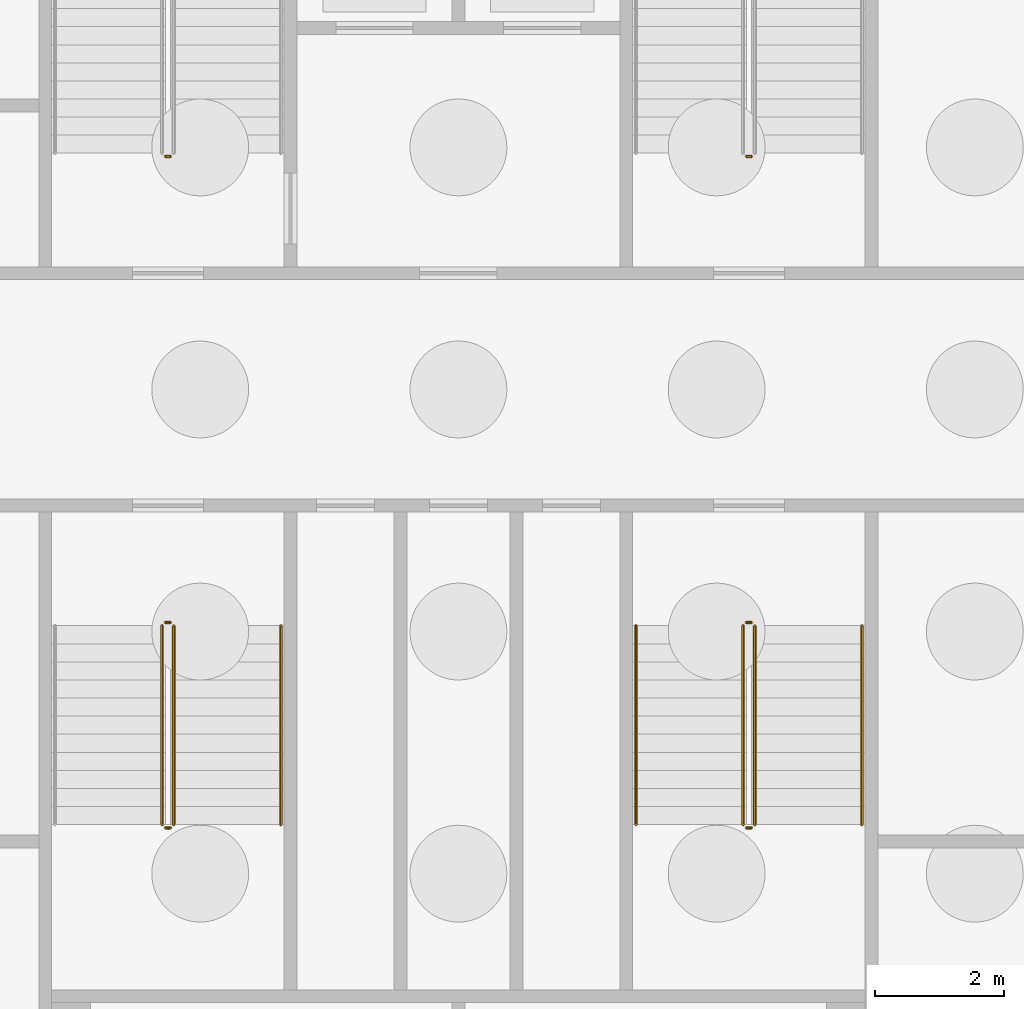
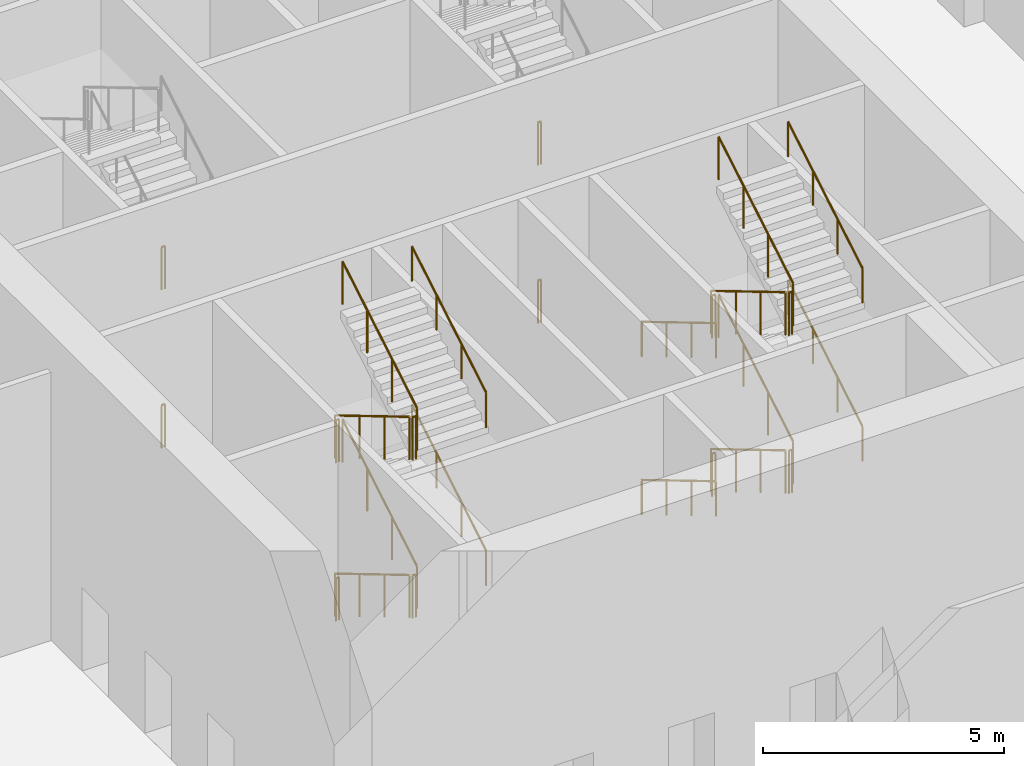
# One storey, part 29 of 34: 26 railings.
"""IFC4 building model written with IfcOpenShell, lengths in metres."""

import ifcopenshell
import ifcopenshell.guid

model = None  # the IFC model being written
_history = None  # IfcOwnerHistory: only IFC2X3 demands one
_inside = {}  # id of a spatial element -> (the spatial element, [elements in it])
_under = {}  # id of a project, library or spatial element -> (it, [spatial elements below it])
_declared = {}  # id of a project -> (the project, [libraries it declares])
_typed = {}  # id of a type object -> (the type object, [elements of that type])
_made_of = {}  # id of a material, layer set ... -> (it, [elements and type objects made of it])


def new_model(schema):
    """Start an empty IFC model of exactly this schema.

    Asked for "IFC4X3", IfcOpenShell would pick the latest addendum, in which some entities
    have other attributes; the version numbers below select the first issue.
    IFC2X3 requires an IfcOwnerHistory on every rooted entity: one is made here for all.
    """
    global model, _history
    if schema == "IFC4X3":
        model = ifcopenshell.file(schema_version=(4, 3, 0, 0))
    else:
        model = ifcopenshell.file(schema=schema)
    _inside.clear()
    _under.clear()
    _declared.clear()
    _typed.clear()
    _made_of.clear()
    _history = None
    if model.schema == "IFC2X3":
        org = make("IfcOrganization", Name="unknown")
        user = make(
            "IfcPersonAndOrganization",
            ThePerson=make("IfcPerson", FamilyName="unknown"),
            TheOrganization=org,
        )
        app = make(
            "IfcApplication",
            ApplicationDeveloper=org,
            Version="unknown",
            ApplicationFullName="unknown",
            ApplicationIdentifier="unknown",
        )
        _history = make(
            "IfcOwnerHistory",
            OwningUser=user,
            OwningApplication=app,
            ChangeAction="ADDED",
            CreationDate=0,
        )
    return model


def make(cls, **values):
    """One entity of the class cls with the attributes given. An attribute that is None is left unset."""
    return model.create_entity(
        cls, **{name: value for name, value in values.items() if value is not None}
    )


def rooted(cls, **values):
    """An entity with a GlobalId (a new one), such as an element, a storey or a relation."""
    return make(cls, GlobalId=ifcopenshell.guid.new(), OwnerHistory=_history, **values)


def si_unit(unit_type, name, prefix=None):
    """IfcSIUnit, for example si_unit("LENGTHUNIT", "METRE", prefix="MILLI")."""
    return make("IfcSIUnit", UnitType=unit_type, Prefix=prefix, Name=name)


def assignment(units):
    """IfcUnitAssignment: the units of a project."""
    return None if units is None else make("IfcUnitAssignment", Units=units)


def point(xyz):
    """IfcCartesianPoint."""
    return None if xyz is None else make("IfcCartesianPoint", Coordinates=xyz)


def direction(xyz):
    """IfcDirection."""
    return None if xyz is None else make("IfcDirection", DirectionRatios=xyz)


def frame(location, z_axis=None, x_axis=None):
    """IfcAxis2Placement3D, a coordinate frame: its origin and axes. An axis left out is left unset."""
    return make(
        "IfcAxis2Placement3D",
        Location=point(location),
        Axis=direction(z_axis),
        RefDirection=direction(x_axis),
    )


def frame_2d(location, x_axis=None):
    """IfcAxis2Placement2D, a coordinate frame in the plane: its origin and x axis."""
    return make(
        "IfcAxis2Placement2D", Location=point(location), RefDirection=direction(x_axis)
    )


def origin():
    """The frame at (0, 0, 0) with its axes left unset."""
    return frame((0.0, 0.0, 0.0))


def origin_2d():
    """The frame at (0, 0) in the plane with its x axis left unset."""
    return frame_2d((0.0, 0.0))


def place(relative_to, where):
    """IfcLocalPlacement: puts the frame where relative to a parent placement (None: the world)."""
    return make(
        "IfcLocalPlacement", PlacementRelTo=relative_to, RelativePlacement=where
    )


def context(
    kind, dimensions, precision=None, world=None, true_north=None, identifier=None
):
    """IfcGeometricRepresentationContext, for example the 3D "Model" context."""
    return make(
        "IfcGeometricRepresentationContext",
        ContextIdentifier=identifier,
        ContextType=kind,
        CoordinateSpaceDimension=dimensions,
        Precision=precision,
        WorldCoordinateSystem=world,
        TrueNorth=true_north,
    )


def subcontext(parent, identifier, kind, view, scale=None):
    """IfcGeometricRepresentationSubContext, for example "Body" below "Model"."""
    return make(
        "IfcGeometricRepresentationSubContext",
        ContextIdentifier=identifier,
        ContextType=kind,
        ParentContext=parent,
        TargetScale=scale,
        TargetView=view,
    )


def project(units=None, contexts=None):
    """IfcProject with its units and contexts."""
    return rooted(
        "IfcProject",
        Name="project",
        RepresentationContexts=contexts,
        UnitsInContext=assignment(units),
    )


def spatial(cls, under=None, at=None, **own):
    """A site, building, storey or space (cls), placed at a placement, below another one or the project."""
    s = rooted(cls, ObjectPlacement=at, **own)
    if under is not None:
        _under.setdefault(under.id(), (under, []))[1].append(s)
    return s


def profile(cls, at=None, kind="AREA", **sizes):
    """A parametric profile (cls). Its sizes go by their IFC names, for example OverallWidth=200.0."""
    return make(cls, ProfileType=kind, Position=at, **sizes)


def circle(**sizes):
    """IfcCircleProfileDef."""
    return profile("IfcCircleProfileDef", **sizes)


def extrude(swept, where, along, depth):
    """IfcExtrudedAreaSolid: the profile swept, set in the frame where, extruded along a direction by depth."""
    return make(
        "IfcExtrudedAreaSolid",
        SweptArea=swept,
        Position=where,
        ExtrudedDirection=direction(along),
        Depth=depth,
    )


def shape(context_of_items, identifier, shape_type, items):
    """IfcShapeRepresentation: the items that make up one representation, for example the "Body"."""
    return make(
        "IfcShapeRepresentation",
        ContextOfItems=context_of_items,
        RepresentationIdentifier=identifier,
        RepresentationType=shape_type,
        Items=items,
    )


def material(Name=None, Category=None):
    """IfcMaterial."""
    return make("IfcMaterial", Name=Name, Category=Category)


def made_of(thing, what):
    """Note that an element or type object is made of a material, layer set ...; save() writes the relation."""
    if what is not None:
        _made_of.setdefault(what.id(), (what, []))[1].append(thing)
    return thing


def type_object(cls, material=None, **own):
    """A type object (cls), such as IfcWallType, which elements share."""
    return made_of(rooted(cls, **own), material)


def element(
    cls,
    number,
    at=None,
    inside=None,
    cuts=None,
    type_object=None,
    material=None,
    context=None,
    identifier="Body",
    shape_type=None,
    held_by="IfcProductDefinitionShape",
    body=None,
    shapes=None,
    **own,
):
    """One element of the class cls, such as IfcWall. Its Tag is "e" and its number.

    at: its placement. inside: the storey or other place that contains it. cuts: it is an
    opening in that element (IfcRelVoidsElement). A single representation is given by context,
    identifier, shape_type and body (its items); several are given by shapes. held_by: the class
    of the entity that holds the representations. save() writes the other relations.
    """
    e = rooted(cls, Tag="e%d" % number, ObjectPlacement=at, **own)
    if body is not None:
        shapes = [shape(context, identifier, shape_type, body)]
    if shapes is not None:
        e.Representation = make(held_by, Representations=shapes)
    if inside is not None:
        _inside.setdefault(inside.id(), (inside, []))[1].append(e)
    if cuts is not None:
        rooted(
            "IfcRelVoidsElement", RelatingBuildingElement=cuts, RelatedOpeningElement=e
        )
    if type_object is not None:
        _typed.setdefault(type_object.id(), (type_object, []))[1].append(e)
    return made_of(e, material)


def aggregate(whole, parts):
    """IfcRelAggregates: a whole, such as a stair, and the parts it consists of."""
    return rooted("IfcRelAggregates", RelatingObject=whole, RelatedObjects=parts)


def save(model, path):
    """Write the relations noted so far, then the file.

    IfcRelAggregates (storeys below a building ...), IfcRelContainedInSpatialStructure (elements
    in a storey), IfcRelDefinesByType, IfcRelAssociatesMaterial and IfcRelDeclares: one each for
    every whole, place, type object, material and project.
    """
    for whole, parts in _under.values():
        aggregate(whole, parts)
    for where, things in _inside.values():
        rooted(
            "IfcRelContainedInSpatialStructure",
            RelatedElements=things,
            RelatingStructure=where,
        )
    for kind, things in _typed.values():
        rooted("IfcRelDefinesByType", RelatedObjects=things, RelatingType=kind)
    for what, things in _made_of.values():
        rooted("IfcRelAssociatesMaterial", RelatedObjects=things, RelatingMaterial=what)
    for by, libraries in _declared.values():
        rooted("IfcRelDeclares", RelatingContext=by, RelatedDefinitions=libraries)
    model.write(path)


model = new_model("IFC4")

# Units and contexts
model_context = context("Model", 3, precision=1e-05, world=origin(), true_north=direction((0.0, 1.0)))
body_context = subcontext(model_context, "Body", "Model", "MODEL_VIEW")
ifc_project = project(units=[si_unit("LENGTHUNIT", "METRE"), si_unit("AREAUNIT", "SQUARE_METRE"), si_unit("VOLUMEUNIT", "CUBIC_METRE"), si_unit("PLANEANGLEUNIT", "RADIAN"), si_unit("MASSUNIT", "GRAM", prefix="KILO")], contexts=[model_context])

# Site, building, storey
site_placement = place(None, origin())
site = spatial("IfcSite", under=ifc_project, at=site_placement, CompositionType="ELEMENT")
building_placement = place(site_placement, origin())
building = spatial("IfcBuilding", under=site, at=building_placement, Name="Tarsis Ring Headquarters", CompositionType="ELEMENT")
storey_placement = place(building_placement, origin())
storey = spatial("IfcBuildingStorey", under=building, at=storey_placement, Name="L00", CompositionType="ELEMENT", Elevation=0.0)

# Railings
ifc_material = material(Name="Steel S355", Category="steel")
railing_type_1 = type_object("IfcRailingType", Name="Core stair guard 1100", PredefinedType="GUARDRAIL", material=ifc_material)
for number, where, name in (
    (1, (-4.4599609375, 3.610107421875, 4.0), "L00 ST1 stair guard 4"),
    (2, (-4.4599609375, 3.610107421875, 0.0), "L00 ST1 stair guard 8"),
    (3, (4.5400390625, 3.610107421875, 4.0), "L00 ST2 stair guard 4"),
    (4, (4.5400390625, 3.610107421875, 0.0), "L00 ST2 stair guard 8"),
):
    element("IfcRailing", number, at=place(storey_placement, frame(where)), inside=storey, type_object=railing_type_1, Name=name, PredefinedType="GUARDRAIL", context=body_context, shape_type="SweptSolid", body=[
        extrude(circle(Radius=0.02392578125, at=origin_2d()), frame((0.0, 0.0, 1.076171875), z_axis=(-1.0, 0.0, 0.0), x_axis=(0.0, -1.0, 0.0)), (0.0, 0.0, 1.0), 0.080078125),
        extrude(circle(Radius=0.02099609375, at=origin_2d()), origin(), (0.0, 0.0, 1.0), 1.052001953125),
        extrude(circle(Radius=0.02099609375, at=origin_2d()), frame((-0.080078125, 0.0, 0.0)), (0.0, 0.0, 1.0), 1.052001953125),
    ])
railing_1_placement = place(storey_placement, frame((-4.590087890625, -3.659912109375, 0.166748046875)))
element("IfcRailing", 5, at=railing_1_placement, inside=storey, type_object=railing_type_1, Name="L00 ST3 stair guard 1", PredefinedType="GUARDRAIL", context=body_context, shape_type="SweptSolid", body=[
    extrude(circle(Radius=0.02392578125, at=origin_2d()), frame((0.0, 0.0, 1.076171875), z_axis=(0.0, -0.859308565015, 0.511457515432), x_axis=(1.0, 0.0, 0.0)), (0.0, 0.0, 1.0), 3.58447265625),
    extrude(circle(Radius=0.02099609375, at=origin_2d()), origin(), (0.0, 0.0, 1.0), 1.052001953125),
    extrude(circle(Radius=0.02099609375, at=origin_2d()), frame((0.0, -1.026611328125, 0.611083984375)), (0.0, 0.0, 1.0), 1.052001953125),
    extrude(circle(Radius=0.02099609375, at=origin_2d()), frame((0.0, -2.053466796875, 1.22216796875)), (0.0, 0.0, 1.0), 1.052001953125),
    extrude(circle(Radius=0.02099609375, at=origin_2d()), frame((0.0, -3.080078125, 1.833251953125)), (0.0, 0.0, 1.0), 1.052001953125),
])
railing_2_placement = place(storey_placement, frame((-4.5400390625, -6.7900390625, 2.0)))
element("IfcRailing", 6, at=railing_2_placement, inside=storey, type_object=railing_type_1, Name="L00 ST3 stair guard 2", PredefinedType="GUARDRAIL", context=body_context, shape_type="SweptSolid", body=[
    extrude(circle(Radius=0.02392578125, at=origin_2d()), frame((0.0, 0.0, 1.076171875), z_axis=(1.0, 0.0, 0.0), x_axis=(0.0, 1.0, 0.0)), (0.0, 0.0, 1.0), 0.080078125),
    extrude(circle(Radius=0.02099609375, at=origin_2d()), origin(), (0.0, 0.0, 1.0), 1.052001953125),
    extrude(circle(Radius=0.02099609375, at=origin_2d()), frame((0.080078125, 0.0, 0.0)), (0.0, 0.0, 1.0), 1.052001953125),
])
railing_3_placement = place(storey_placement, frame((-4.409912109375, -6.739990234375, 2.166748046875)))
element("IfcRailing", 7, at=railing_3_placement, inside=storey, type_object=railing_type_1, Name="L00 ST3 stair guard 3", PredefinedType="GUARDRAIL", context=body_context, shape_type="SweptSolid", body=[
    extrude(circle(Radius=0.02392578125, at=origin_2d()), frame((0.0, 0.0, 1.076171875), z_axis=(0.0, 0.859308565015, 0.511457515432), x_axis=(-1.0, 0.0, 0.0)), (0.0, 0.0, 1.0), 3.58447265625),
    extrude(circle(Radius=0.02099609375, at=origin_2d()), origin(), (0.0, 0.0, 1.0), 1.052001953125),
    extrude(circle(Radius=0.02099609375, at=origin_2d()), frame((0.0, 1.026611328125, 0.611083984375)), (0.0, 0.0, 1.0), 1.052001953125),
    extrude(circle(Radius=0.02099609375, at=origin_2d()), frame((0.0, 2.053466796875, 1.22216796875)), (0.0, 0.0, 1.0), 1.052001953125),
    extrude(circle(Radius=0.02099609375, at=origin_2d()), frame((0.0, 3.080078125, 1.833251953125)), (0.0, 0.0, 1.0), 1.052001953125),
])
railing_4_placement = place(storey_placement, frame((-4.5400390625, -3.610107421875, 4.0)))
element("IfcRailing", 8, at=railing_4_placement, inside=storey, type_object=railing_type_1, Name="L00 ST3 stair guard 4", PredefinedType="GUARDRAIL", context=body_context, shape_type="SweptSolid", body=[
    extrude(circle(Radius=0.02392578125, at=origin_2d()), frame((0.0, 0.0, 1.076171875), z_axis=(1.0, 0.0, 0.0), x_axis=(0.0, 1.0, 0.0)), (0.0, 0.0, 1.0), 0.080078125),
    extrude(circle(Radius=0.02099609375, at=origin_2d()), origin(), (0.0, 0.0, 1.0), 1.052001953125),
    extrude(circle(Radius=0.02099609375, at=origin_2d()), frame((0.080078125, 0.0, 0.0)), (0.0, 0.0, 1.0), 1.052001953125),
])
railing_5_placement = place(storey_placement, frame((-4.590087890625, -3.659912109375, 4.166748046875)))
element("IfcRailing", 9, at=railing_5_placement, inside=storey, type_object=railing_type_1, Name="L00 ST3 stair guard 5", PredefinedType="GUARDRAIL", context=body_context, shape_type="SweptSolid", body=[
    extrude(circle(Radius=0.02392578125, at=origin_2d()), frame((0.0, 0.0, 1.076171875), z_axis=(0.0, -0.859308565015, 0.511457515432), x_axis=(1.0, 0.0, 0.0)), (0.0, 0.0, 1.0), 3.58447265625),
    extrude(circle(Radius=0.02099609375, at=origin_2d()), origin(), (0.0, 0.0, 1.0), 1.052001953125),
    extrude(circle(Radius=0.02099609375, at=origin_2d()), frame((0.0, -1.026611328125, 0.611083984375)), (0.0, 0.0, 1.0), 1.052001953125),
    extrude(circle(Radius=0.02099609375, at=origin_2d()), frame((0.0, -2.053466796875, 1.22216796875)), (0.0, 0.0, 1.0), 1.052001953125),
    extrude(circle(Radius=0.02099609375, at=origin_2d()), frame((0.0, -3.080078125, 1.833251953125)), (0.0, 0.0, 1.0), 1.052001953125),
])
railing_6_placement = place(storey_placement, frame((-4.5400390625, -6.7900390625, 6.0)))
element("IfcRailing", 10, at=railing_6_placement, inside=storey, type_object=railing_type_1, Name="L00 ST3 stair guard 6", PredefinedType="GUARDRAIL", context=body_context, shape_type="SweptSolid", body=[
    extrude(circle(Radius=0.02392578125, at=origin_2d()), frame((0.0, 0.0, 1.076171875), z_axis=(1.0, 0.0, 0.0), x_axis=(0.0, 1.0, 0.0)), (0.0, 0.0, 1.0), 0.080078125),
    extrude(circle(Radius=0.02099609375, at=origin_2d()), origin(), (0.0, 0.0, 1.0), 1.052001953125),
    extrude(circle(Radius=0.02099609375, at=origin_2d()), frame((0.080078125, 0.0, 0.0)), (0.0, 0.0, 1.0), 1.052001953125),
])
railing_7_placement = place(storey_placement, frame((-4.409912109375, -6.739990234375, 6.166748046875)))
element("IfcRailing", 11, at=railing_7_placement, inside=storey, type_object=railing_type_1, Name="L00 ST3 stair guard 7", PredefinedType="GUARDRAIL", context=body_context, shape_type="SweptSolid", body=[
    extrude(circle(Radius=0.02392578125, at=origin_2d()), frame((0.0, 0.0, 1.076171875), z_axis=(0.0, 0.859308565015, 0.511457515432), x_axis=(-1.0, 0.0, 0.0)), (0.0, 0.0, 1.0), 3.58447265625),
    extrude(circle(Radius=0.02099609375, at=origin_2d()), origin(), (0.0, 0.0, 1.0), 1.052001953125),
    extrude(circle(Radius=0.02099609375, at=origin_2d()), frame((0.0, 1.026611328125, 0.611083984375)), (0.0, 0.0, 1.0), 1.052001953125),
    extrude(circle(Radius=0.02099609375, at=origin_2d()), frame((0.0, 2.053466796875, 1.22216796875)), (0.0, 0.0, 1.0), 1.052001953125),
    extrude(circle(Radius=0.02099609375, at=origin_2d()), frame((0.0, 3.080078125, 1.833251953125)), (0.0, 0.0, 1.0), 1.052001953125),
])
railing_8_placement = place(storey_placement, frame((-4.5400390625, -3.610107421875, 0.0)))
element("IfcRailing", 12, at=railing_8_placement, inside=storey, type_object=railing_type_1, Name="L00 ST3 stair guard 8", PredefinedType="GUARDRAIL", context=body_context, shape_type="SweptSolid", body=[
    extrude(circle(Radius=0.02392578125, at=origin_2d()), frame((0.0, 0.0, 1.076171875), z_axis=(1.0, 0.0, 0.0), x_axis=(0.0, 1.0, 0.0)), (0.0, 0.0, 1.0), 0.080078125),
    extrude(circle(Radius=0.02099609375, at=origin_2d()), origin(), (0.0, 0.0, 1.0), 1.052001953125),
    extrude(circle(Radius=0.02099609375, at=origin_2d()), frame((0.080078125, 0.0, 0.0)), (0.0, 0.0, 1.0), 1.052001953125),
])
railing_9_placement = place(storey_placement, frame((4.409912109375, -3.659912109375, 0.166748046875)))
element("IfcRailing", 13, at=railing_9_placement, inside=storey, type_object=railing_type_1, Name="L00 ST4 stair guard 1", PredefinedType="GUARDRAIL", context=body_context, shape_type="SweptSolid", body=[
    extrude(circle(Radius=0.02392578125, at=origin_2d()), frame((0.0, 0.0, 1.076171875), z_axis=(0.0, -0.859308565015, 0.511457515432), x_axis=(1.0, 0.0, 0.0)), (0.0, 0.0, 1.0), 3.58447265625),
    extrude(circle(Radius=0.02099609375, at=origin_2d()), origin(), (0.0, 0.0, 1.0), 1.052001953125),
    extrude(circle(Radius=0.02099609375, at=origin_2d()), frame((0.0, -1.026611328125, 0.611083984375)), (0.0, 0.0, 1.0), 1.052001953125),
    extrude(circle(Radius=0.02099609375, at=origin_2d()), frame((0.0, -2.053466796875, 1.22216796875)), (0.0, 0.0, 1.0), 1.052001953125),
    extrude(circle(Radius=0.02099609375, at=origin_2d()), frame((0.0, -3.080078125, 1.833251953125)), (0.0, 0.0, 1.0), 1.052001953125),
])
railing_10_placement = place(storey_placement, frame((4.4599609375, -6.7900390625, 2.0)))
element("IfcRailing", 14, at=railing_10_placement, inside=storey, type_object=railing_type_1, Name="L00 ST4 stair guard 2", PredefinedType="GUARDRAIL", context=body_context, shape_type="SweptSolid", body=[
    extrude(circle(Radius=0.02392578125, at=origin_2d()), frame((0.0, 0.0, 1.076171875), z_axis=(1.0, 0.0, 0.0), x_axis=(0.0, 1.0, 0.0)), (0.0, 0.0, 1.0), 0.080078125),
    extrude(circle(Radius=0.02099609375, at=origin_2d()), origin(), (0.0, 0.0, 1.0), 1.052001953125),
    extrude(circle(Radius=0.02099609375, at=origin_2d()), frame((0.080078125, 0.0, 0.0)), (0.0, 0.0, 1.0), 1.052001953125),
])
railing_11_placement = place(storey_placement, frame((4.590087890625, -6.739990234375, 2.166748046875)))
element("IfcRailing", 15, at=railing_11_placement, inside=storey, type_object=railing_type_1, Name="L00 ST4 stair guard 3", PredefinedType="GUARDRAIL", context=body_context, shape_type="SweptSolid", body=[
    extrude(circle(Radius=0.02392578125, at=origin_2d()), frame((0.0, 0.0, 1.076171875), z_axis=(0.0, 0.859308565015, 0.511457515432), x_axis=(-1.0, 0.0, 0.0)), (0.0, 0.0, 1.0), 3.58447265625),
    extrude(circle(Radius=0.02099609375, at=origin_2d()), origin(), (0.0, 0.0, 1.0), 1.052001953125),
    extrude(circle(Radius=0.02099609375, at=origin_2d()), frame((0.0, 1.026611328125, 0.611083984375)), (0.0, 0.0, 1.0), 1.052001953125),
    extrude(circle(Radius=0.02099609375, at=origin_2d()), frame((0.0, 2.053466796875, 1.22216796875)), (0.0, 0.0, 1.0), 1.052001953125),
    extrude(circle(Radius=0.02099609375, at=origin_2d()), frame((0.0, 3.080078125, 1.833251953125)), (0.0, 0.0, 1.0), 1.052001953125),
])
railing_12_placement = place(storey_placement, frame((4.4599609375, -3.610107421875, 4.0)))
element("IfcRailing", 16, at=railing_12_placement, inside=storey, type_object=railing_type_1, Name="L00 ST4 stair guard 4", PredefinedType="GUARDRAIL", context=body_context, shape_type="SweptSolid", body=[
    extrude(circle(Radius=0.02392578125, at=origin_2d()), frame((0.0, 0.0, 1.076171875), z_axis=(1.0, 0.0, 0.0), x_axis=(0.0, 1.0, 0.0)), (0.0, 0.0, 1.0), 0.080078125),
    extrude(circle(Radius=0.02099609375, at=origin_2d()), origin(), (0.0, 0.0, 1.0), 1.052001953125),
    extrude(circle(Radius=0.02099609375, at=origin_2d()), frame((0.080078125, 0.0, 0.0)), (0.0, 0.0, 1.0), 1.052001953125),
])
railing_13_placement = place(storey_placement, frame((4.409912109375, -3.659912109375, 4.166748046875)))
element("IfcRailing", 17, at=railing_13_placement, inside=storey, type_object=railing_type_1, Name="L00 ST4 stair guard 5", PredefinedType="GUARDRAIL", context=body_context, shape_type="SweptSolid", body=[
    extrude(circle(Radius=0.02392578125, at=origin_2d()), frame((0.0, 0.0, 1.076171875), z_axis=(0.0, -0.859308565015, 0.511457515432), x_axis=(1.0, 0.0, 0.0)), (0.0, 0.0, 1.0), 3.58447265625),
    extrude(circle(Radius=0.02099609375, at=origin_2d()), origin(), (0.0, 0.0, 1.0), 1.052001953125),
    extrude(circle(Radius=0.02099609375, at=origin_2d()), frame((0.0, -1.026611328125, 0.611083984375)), (0.0, 0.0, 1.0), 1.052001953125),
    extrude(circle(Radius=0.02099609375, at=origin_2d()), frame((0.0, -2.053466796875, 1.22216796875)), (0.0, 0.0, 1.0), 1.052001953125),
    extrude(circle(Radius=0.02099609375, at=origin_2d()), frame((0.0, -3.080078125, 1.833251953125)), (0.0, 0.0, 1.0), 1.052001953125),
])
railing_14_placement = place(storey_placement, frame((4.4599609375, -6.7900390625, 6.0)))
element("IfcRailing", 18, at=railing_14_placement, inside=storey, type_object=railing_type_1, Name="L00 ST4 stair guard 6", PredefinedType="GUARDRAIL", context=body_context, shape_type="SweptSolid", body=[
    extrude(circle(Radius=0.02392578125, at=origin_2d()), frame((0.0, 0.0, 1.076171875), z_axis=(1.0, 0.0, 0.0), x_axis=(0.0, 1.0, 0.0)), (0.0, 0.0, 1.0), 0.080078125),
    extrude(circle(Radius=0.02099609375, at=origin_2d()), origin(), (0.0, 0.0, 1.0), 1.052001953125),
    extrude(circle(Radius=0.02099609375, at=origin_2d()), frame((0.080078125, 0.0, 0.0)), (0.0, 0.0, 1.0), 1.052001953125),
])
railing_15_placement = place(storey_placement, frame((4.590087890625, -6.739990234375, 6.166748046875)))
element("IfcRailing", 19, at=railing_15_placement, inside=storey, type_object=railing_type_1, Name="L00 ST4 stair guard 7", PredefinedType="GUARDRAIL", context=body_context, shape_type="SweptSolid", body=[
    extrude(circle(Radius=0.02392578125, at=origin_2d()), frame((0.0, 0.0, 1.076171875), z_axis=(0.0, 0.859308565015, 0.511457515432), x_axis=(-1.0, 0.0, 0.0)), (0.0, 0.0, 1.0), 3.58447265625),
    extrude(circle(Radius=0.02099609375, at=origin_2d()), origin(), (0.0, 0.0, 1.0), 1.052001953125),
    extrude(circle(Radius=0.02099609375, at=origin_2d()), frame((0.0, 1.026611328125, 0.611083984375)), (0.0, 0.0, 1.0), 1.052001953125),
    extrude(circle(Radius=0.02099609375, at=origin_2d()), frame((0.0, 2.053466796875, 1.22216796875)), (0.0, 0.0, 1.0), 1.052001953125),
    extrude(circle(Radius=0.02099609375, at=origin_2d()), frame((0.0, 3.080078125, 1.833251953125)), (0.0, 0.0, 1.0), 1.052001953125),
])
railing_16_placement = place(storey_placement, frame((4.4599609375, -3.610107421875, 0.0)))
element("IfcRailing", 20, at=railing_16_placement, inside=storey, type_object=railing_type_1, Name="L00 ST4 stair guard 8", PredefinedType="GUARDRAIL", context=body_context, shape_type="SweptSolid", body=[
    extrude(circle(Radius=0.02392578125, at=origin_2d()), frame((0.0, 0.0, 1.076171875), z_axis=(1.0, 0.0, 0.0), x_axis=(0.0, 1.0, 0.0)), (0.0, 0.0, 1.0), 0.080078125),
    extrude(circle(Radius=0.02099609375, at=origin_2d()), origin(), (0.0, 0.0, 1.0), 1.052001953125),
    extrude(circle(Radius=0.02099609375, at=origin_2d()), frame((0.080078125, 0.0, 0.0)), (0.0, 0.0, 1.0), 1.052001953125),
])
railing_type_2 = type_object("IfcRailingType", Name="Core stair handrail 900", PredefinedType="HANDRAIL", material=ifc_material)
for number, where, name in (
    (21, (-2.75, -6.739990234375, 2.166748046875), "L00 ST3 stair handrail 2"),
    (22, (-2.75, -6.739990234375, 6.166748046875), "L00 ST3 stair handrail 4"),
):
    element("IfcRailing", number, at=place(storey_placement, frame(where)), inside=storey, type_object=railing_type_2, Name=name, PredefinedType="HANDRAIL", context=body_context, shape_type="SweptSolid", body=[
        extrude(circle(Radius=0.02392578125, at=origin_2d()), frame((0.0, 0.0, 0.8759765625), z_axis=(0.0, 0.859308565015, 0.511457515432), x_axis=(-1.0, 0.0, 0.0)), (0.0, 0.0, 1.0), 3.58447265625),
        extrude(circle(Radius=0.02099609375, at=origin_2d()), origin(), (0.0, 0.0, 1.0), 0.851806640625),
        extrude(circle(Radius=0.02099609375, at=origin_2d()), frame((0.0, 1.026611328125, 0.611083984375)), (0.0, 0.0, 1.0), 0.851806640625),
        extrude(circle(Radius=0.02099609375, at=origin_2d()), frame((0.0, 2.053466796875, 1.22216796875)), (0.0, 0.0, 1.0), 0.851806640625),
        extrude(circle(Radius=0.02099609375, at=origin_2d()), frame((0.0, 3.080078125, 1.833251953125)), (0.0, 0.0, 1.0), 0.851806640625),
    ])
railing_17_placement = place(storey_placement, frame((2.75, -3.659912109375, 0.166748046875)))
element("IfcRailing", 23, at=railing_17_placement, inside=storey, type_object=railing_type_2, Name="L00 ST4 stair handrail 1", PredefinedType="HANDRAIL", context=body_context, shape_type="SweptSolid", body=[
    extrude(circle(Radius=0.02392578125, at=origin_2d()), frame((0.0, 0.0, 0.8759765625), z_axis=(0.0, -0.859308565015, 0.511457515432), x_axis=(1.0, 0.0, 0.0)), (0.0, 0.0, 1.0), 3.58447265625),
    extrude(circle(Radius=0.02099609375, at=origin_2d()), origin(), (0.0, 0.0, 1.0), 0.851806640625),
    extrude(circle(Radius=0.02099609375, at=origin_2d()), frame((0.0, -1.026611328125, 0.611083984375)), (0.0, 0.0, 1.0), 0.851806640625),
    extrude(circle(Radius=0.02099609375, at=origin_2d()), frame((0.0, -2.053466796875, 1.22216796875)), (0.0, 0.0, 1.0), 0.851806640625),
    extrude(circle(Radius=0.02099609375, at=origin_2d()), frame((0.0, -3.080078125, 1.833251953125)), (0.0, 0.0, 1.0), 0.851806640625),
])
railing_18_placement = place(storey_placement, frame((6.25, -6.739990234375, 2.166748046875)))
element("IfcRailing", 24, at=railing_18_placement, inside=storey, type_object=railing_type_2, Name="L00 ST4 stair handrail 2", PredefinedType="HANDRAIL", context=body_context, shape_type="SweptSolid", body=[
    extrude(circle(Radius=0.02392578125, at=origin_2d()), frame((0.0, 0.0, 0.8759765625), z_axis=(0.0, 0.859308565015, 0.511457515432), x_axis=(-1.0, 0.0, 0.0)), (0.0, 0.0, 1.0), 3.58447265625),
    extrude(circle(Radius=0.02099609375, at=origin_2d()), origin(), (0.0, 0.0, 1.0), 0.851806640625),
    extrude(circle(Radius=0.02099609375, at=origin_2d()), frame((0.0, 1.026611328125, 0.611083984375)), (0.0, 0.0, 1.0), 0.851806640625),
    extrude(circle(Radius=0.02099609375, at=origin_2d()), frame((0.0, 2.053466796875, 1.22216796875)), (0.0, 0.0, 1.0), 0.851806640625),
    extrude(circle(Radius=0.02099609375, at=origin_2d()), frame((0.0, 3.080078125, 1.833251953125)), (0.0, 0.0, 1.0), 0.851806640625),
])
railing_19_placement = place(storey_placement, frame((2.75, -3.659912109375, 4.166748046875)))
element("IfcRailing", 25, at=railing_19_placement, inside=storey, type_object=railing_type_2, Name="L00 ST4 stair handrail 3", PredefinedType="HANDRAIL", context=body_context, shape_type="SweptSolid", body=[
    extrude(circle(Radius=0.02392578125, at=origin_2d()), frame((0.0, 0.0, 0.8759765625), z_axis=(0.0, -0.859308565015, 0.511457515432), x_axis=(1.0, 0.0, 0.0)), (0.0, 0.0, 1.0), 3.58447265625),
    extrude(circle(Radius=0.02099609375, at=origin_2d()), origin(), (0.0, 0.0, 1.0), 0.851806640625),
    extrude(circle(Radius=0.02099609375, at=origin_2d()), frame((0.0, -1.026611328125, 0.611083984375)), (0.0, 0.0, 1.0), 0.851806640625),
    extrude(circle(Radius=0.02099609375, at=origin_2d()), frame((0.0, -2.053466796875, 1.22216796875)), (0.0, 0.0, 1.0), 0.851806640625),
    extrude(circle(Radius=0.02099609375, at=origin_2d()), frame((0.0, -3.080078125, 1.833251953125)), (0.0, 0.0, 1.0), 0.851806640625),
])
railing_20_placement = place(storey_placement, frame((6.25, -6.739990234375, 6.166748046875)))
element("IfcRailing", 26, at=railing_20_placement, inside=storey, type_object=railing_type_2, Name="L00 ST4 stair handrail 4", PredefinedType="HANDRAIL", context=body_context, shape_type="SweptSolid", body=[
    extrude(circle(Radius=0.02392578125, at=origin_2d()), frame((0.0, 0.0, 0.8759765625), z_axis=(0.0, 0.859308565015, 0.511457515432), x_axis=(-1.0, 0.0, 0.0)), (0.0, 0.0, 1.0), 3.58447265625),
    extrude(circle(Radius=0.02099609375, at=origin_2d()), origin(), (0.0, 0.0, 1.0), 0.851806640625),
    extrude(circle(Radius=0.02099609375, at=origin_2d()), frame((0.0, 1.026611328125, 0.611083984375)), (0.0, 0.0, 1.0), 0.851806640625),
    extrude(circle(Radius=0.02099609375, at=origin_2d()), frame((0.0, 2.053466796875, 1.22216796875)), (0.0, 0.0, 1.0), 0.851806640625),
    extrude(circle(Radius=0.02099609375, at=origin_2d()), frame((0.0, 3.080078125, 1.833251953125)), (0.0, 0.0, 1.0), 0.851806640625),
])

save(model, "model.ifc")
